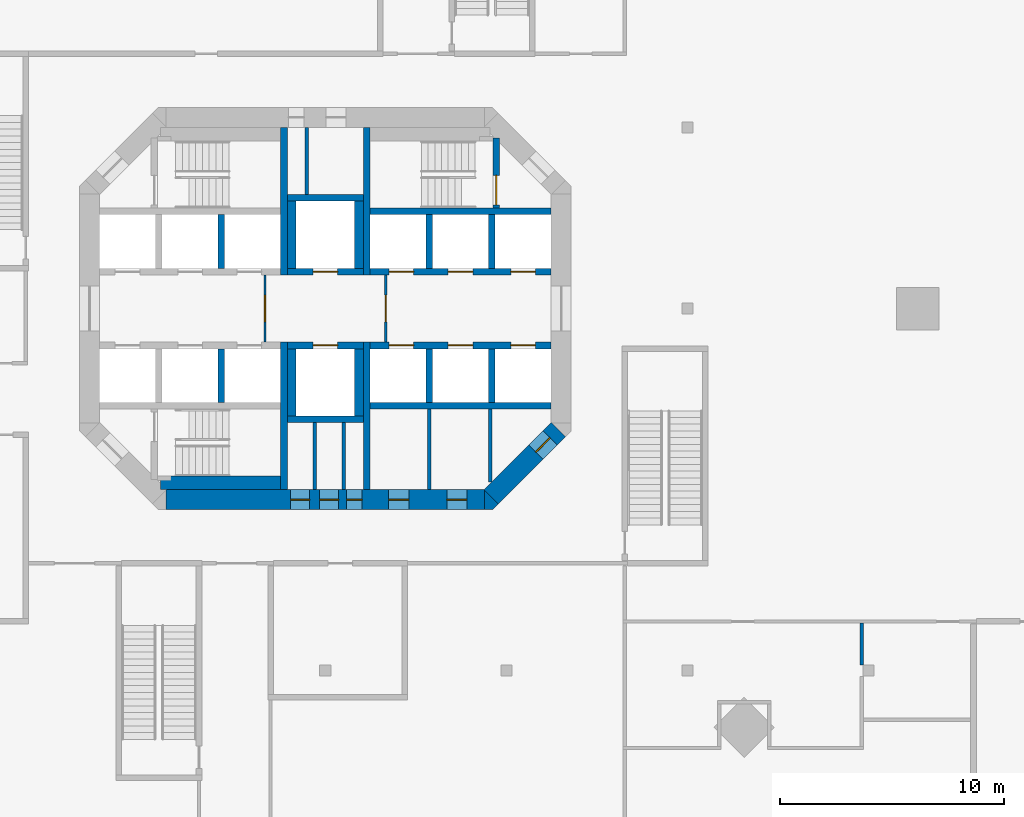
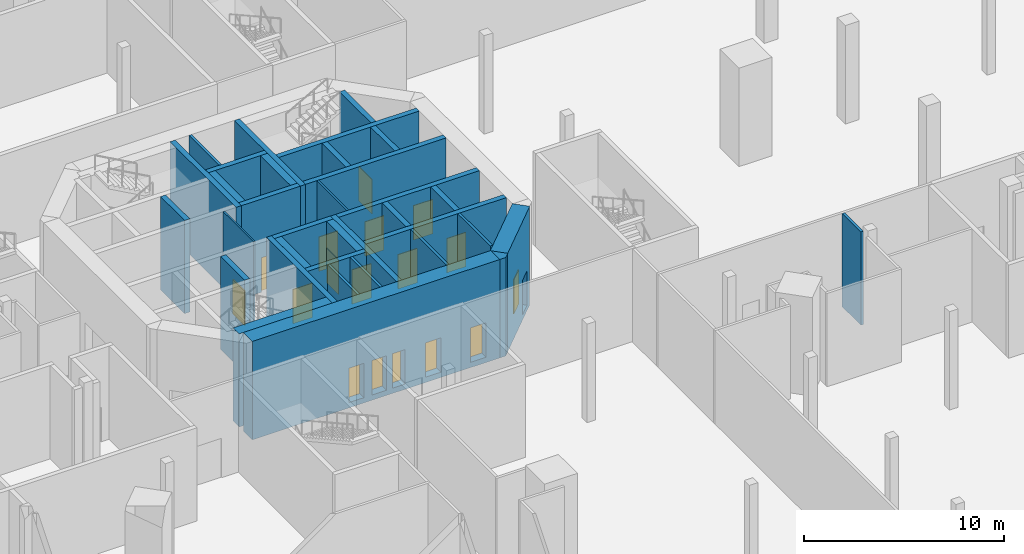
# One storey, part 16 of 32: 35 walls, 17 doors, 17 openings.
"""IFC4 building model written with IfcOpenShell, lengths in metres."""

from ifc_helpers import new_model, si_unit, direction, frame, frame_2d, origin, place, context, subcontext, project, spatial, polyline, rectangle, outline, extrude, material, layer, layer_set, type_object, element, fill, save


model = new_model("IFC4")

# Units and contexts
model_context = context("Model", 3, precision=1e-05, world=origin(), true_north=direction((0.0, 1.0)))
body_context = subcontext(model_context, "Body", "Model", "MODEL_VIEW")
ifc_project = project(units=[si_unit("LENGTHUNIT", "METRE"), si_unit("AREAUNIT", "SQUARE_METRE"), si_unit("VOLUMEUNIT", "CUBIC_METRE"), si_unit("PLANEANGLEUNIT", "RADIAN"), si_unit("MASSUNIT", "GRAM", prefix="KILO")], contexts=[model_context])

# Site, building, storey
site_placement = place(None, origin())
site = spatial("IfcSite", under=ifc_project, at=site_placement, CompositionType="ELEMENT")
building_placement = place(site_placement, origin())
building = spatial("IfcBuilding", under=site, at=building_placement, Name="Torre Triforio", CompositionType="ELEMENT")
storey_placement = place(building_placement, origin())
storey = spatial("IfcBuildingStorey", under=building, at=storey_placement, Name="L00", CompositionType="ELEMENT", Elevation=0.0)

# Walls
ifc_material_1 = material(Name="Concrete C60", Category="concrete")
ifc_layer_1 = layer(ifc_material_1, 0.300048828125)
ifc_layer_set_1 = layer_set([ifc_layer_1], Name="Concrete C60")
wall_type_1 = type_object("IfcWallType", Name="Core wall 300 mm C60 EI 120", PredefinedType="SHEAR", material=ifc_layer_set_1)
for number, where, z_axis, x_axis, name in (
    (1, (-1.85009765625, 1.5, 0.0), (0.0, 0.0, 1.0), (0.0, 1.0, 0.0), "Core wall"),
    (2, (-1.85009765625, -8.10009765625, 0.0), (0.0, 0.0, 1.0), (0.0, 1.0, 0.0), "Core wall"),
    (3, (1.85009765625, 1.5, 0.0), (0.0, 0.0, 1.0), (0.0, 1.0, 0.0), "Core wall"),
    (4, (1.85009765625, -8.10009765625, 0.0), (0.0, 0.0, 1.0), (0.0, 1.0, 0.0), "Core wall"),
):
    element("IfcWall", number, at=place(storey_placement, frame(where, z_axis=z_axis, x_axis=x_axis)), inside=storey, type_object=wall_type_1, Name=name, PredefinedType="SHEAR", context=body_context, shape_type="SweptSolid", body=[
        extrude(rectangle(XDim=6.60009765625, YDim=0.300048828125, at=frame_2d((3.300048828125, 0.0))), origin(), (0.0, 0.0, 1.0), 5.679931640625),
    ])

# Wall, openings, doors
ifc_layer_2 = layer(ifc_material_1, 0.89990234375)
ifc_layer_set_2 = layer_set([ifc_layer_2], Name="Concrete C60")
wall_type_2 = type_object("IfcWallType", Name="Core wall 900 mm C60 EI 120", PredefinedType="SHEAR", material=ifc_layer_set_2)
wall_1_placement = place(storey_placement, frame((-7.1298828125, -8.550048828125, -0.320068359375), z_axis=(0.0, 0.0, 1.0), x_axis=(1.0, 0.0, 0.0)))
wall_1 = element("IfcWall", 5, at=wall_1_placement, inside=storey, type_object=wall_type_2, Name="Core wall", PredefinedType="SHEAR", context=body_context, shape_type="SweptSolid", body=[
    extrude(rectangle(XDim=14.259765625, YDim=0.89990234375, at=frame_2d((7.1298828125, 0.0))), origin(), (0.0, 0.0, 1.0), 6.0),
])
opening_1_placement = place(wall_1_placement, frame((8.080078125, 0.0, 0.320068359375)))
opening_1 = element("IfcOpeningElement", 6, at=opening_1_placement, cuts=wall_1, Name="Opening RISER-S", PredefinedType="OPENING", context=body_context, shape_type="SweptSolid", body=[
    extrude(rectangle(XDim=0.699951171875, YDim=2.10009765625, at=frame_2d((0.35009765625, 1.050048828125))), frame((0.0, 0.4599609375, 0.0), z_axis=(0.0, -1.0, 0.0), x_axis=(1.0, 0.0, 0.0)), (0.0, 0.0, 1.0), 0.919921875),
])
opening_2_placement = place(wall_1_placement, frame((5.580078125, 0.0, 0.320068359375)))
opening_2 = element("IfcOpeningElement", 7, at=opening_2_placement, cuts=wall_1, Name="Opening SW-01A", PredefinedType="OPENING", context=body_context, shape_type="SweptSolid", body=[
    extrude(rectangle(XDim=0.85009765625, YDim=2.10009765625, at=frame_2d((0.425048828125, 1.050048828125))), frame((0.0, 0.4599609375, 0.0), z_axis=(0.0, -1.0, 0.0), x_axis=(1.0, 0.0, 0.0)), (0.0, 0.0, 1.0), 0.919921875),
])
opening_3_placement = place(wall_1_placement, frame((6.8798828125, 0.0, 0.320068359375)))
opening_3 = element("IfcOpeningElement", 8, at=opening_3_placement, cuts=wall_1, Name="Opening SW-02", PredefinedType="OPENING", context=body_context, shape_type="SweptSolid", body=[
    extrude(rectangle(XDim=0.85009765625, YDim=2.10009765625, at=frame_2d((0.425048828125, 1.050048828125))), frame((0.0, 0.4599609375, 0.0), z_axis=(0.0, -1.0, 0.0), x_axis=(1.0, 0.0, 0.0)), (0.0, 0.0, 1.0), 0.919921875),
])
opening_4_placement = place(wall_1_placement, frame((9.967041015625, 0.0, 0.320068359375)))
opening_4 = element("IfcOpeningElement", 9, at=opening_4_placement, cuts=wall_1, Name="Opening SE-01A", PredefinedType="OPENING", context=body_context, shape_type="SweptSolid", body=[
    extrude(rectangle(XDim=0.89990234375, YDim=2.10009765625, at=frame_2d((0.449951171875, 1.050048828125))), frame((0.0, 0.4599609375, 0.0), z_axis=(0.0, -1.0, 0.0), x_axis=(1.0, 0.0, 0.0)), (0.0, 0.0, 1.0), 0.919921875),
])
opening_5_placement = place(wall_1_placement, frame((12.56689453125, 0.0, 0.320068359375)))
opening_5 = element("IfcOpeningElement", 10, at=opening_5_placement, cuts=wall_1, Name="Opening SE-02", PredefinedType="OPENING", context=body_context, shape_type="SweptSolid", body=[
    extrude(rectangle(XDim=0.89990234375, YDim=2.10009765625, at=frame_2d((0.449951171875, 1.050048828125))), frame((0.0, 0.4599609375, 0.0), z_axis=(0.0, -1.0, 0.0), x_axis=(1.0, 0.0, 0.0)), (0.0, 0.0, 1.0), 0.919921875),
])
ifc_material_2 = material(Name="Hollow metal fire door leaf")
door_type_1 = type_object("IfcDoorType", Name="Riser door 700 x 2100 EI 60", OperationType="NOTDEFINED", PredefinedType="DOOR", material=ifc_material_2)
door_1_placement = place(opening_1_placement, origin())
door_1 = element("IfcDoor", 11, at=door_1_placement, inside=storey, type_object=door_type_1, Name="Core door RISER-S", OperationType="SINGLE_SWING_RIGHT", OverallHeight=2.10009765625, OverallWidth=0.699951171875, PredefinedType="DOOR", context=body_context, shape_type="SweptSolid", body=[
    extrude(rectangle(XDim=0.699951171875, YDim=2.10009765625, at=frame_2d((0.35009765625, 1.050048828125))), frame((0.0, 0.02490234375, 0.0), z_axis=(0.0, -1.0, 0.0), x_axis=(1.0, 0.0, 0.0)), (0.0, 0.0, 1.0), 0.050048828125),
])
fill(opening_1, door_1)
door_type_2 = type_object("IfcDoorType", Name="Room door 850 x 2100 EI 60", OperationType="NOTDEFINED", PredefinedType="DOOR", material=ifc_material_2)
door_2_placement = place(opening_2_placement, origin())
door_2 = element("IfcDoor", 12, at=door_2_placement, inside=storey, type_object=door_type_2, Name="Core door SW-01", OperationType="SINGLE_SWING_RIGHT", OverallHeight=2.10009765625, OverallWidth=0.85009765625, PredefinedType="DOOR", context=body_context, shape_type="SweptSolid", body=[
    extrude(rectangle(XDim=0.85009765625, YDim=2.10009765625, at=frame_2d((0.425048828125, 1.050048828125))), frame((0.0, 0.02490234375, 0.0), z_axis=(0.0, -1.0, 0.0), x_axis=(1.0, 0.0, 0.0)), (0.0, 0.0, 1.0), 0.050048828125),
])
fill(opening_2, door_2)
door_3_placement = place(opening_3_placement, origin())
door_3 = element("IfcDoor", 13, at=door_3_placement, inside=storey, type_object=door_type_2, Name="Core door SW-02", OperationType="SINGLE_SWING_RIGHT", OverallHeight=2.10009765625, OverallWidth=0.85009765625, PredefinedType="DOOR", context=body_context, shape_type="SweptSolid", body=[
    extrude(rectangle(XDim=0.85009765625, YDim=2.10009765625, at=frame_2d((0.425048828125, 1.050048828125))), frame((0.0, 0.02490234375, 0.0), z_axis=(0.0, -1.0, 0.0), x_axis=(1.0, 0.0, 0.0)), (0.0, 0.0, 1.0), 0.050048828125),
])
fill(opening_3, door_3)
door_type_3 = type_object("IfcDoorType", Name="Room door 900 x 2100 EI 60", OperationType="NOTDEFINED", PredefinedType="DOOR", material=ifc_material_2)
door_4_placement = place(opening_4_placement, origin())
door_4 = element("IfcDoor", 14, at=door_4_placement, inside=storey, type_object=door_type_3, Name="Core door SE-01", OperationType="SINGLE_SWING_RIGHT", OverallHeight=2.10009765625, OverallWidth=0.89990234375, PredefinedType="DOOR", context=body_context, shape_type="SweptSolid", body=[
    extrude(rectangle(XDim=0.89990234375, YDim=2.10009765625, at=frame_2d((0.449951171875, 1.050048828125))), frame((0.0, 0.02490234375, 0.0), z_axis=(0.0, -1.0, 0.0), x_axis=(1.0, 0.0, 0.0)), (0.0, 0.0, 1.0), 0.050048828125),
])
fill(opening_4, door_4)
door_5_placement = place(opening_5_placement, origin())
door_5 = element("IfcDoor", 15, at=door_5_placement, inside=storey, type_object=door_type_3, Name="Core door SE-02", OperationType="SINGLE_SWING_RIGHT", OverallHeight=2.10009765625, OverallWidth=0.89990234375, PredefinedType="DOOR", context=body_context, shape_type="SweptSolid", body=[
    extrude(rectangle(XDim=0.89990234375, YDim=2.10009765625, at=frame_2d((0.449951171875, 1.050048828125))), frame((0.0, 0.02490234375, 0.0), z_axis=(0.0, -1.0, 0.0), x_axis=(1.0, 0.0, 0.0)), (0.0, 0.0, 1.0), 0.050048828125),
])
fill(opening_5, door_5)

# Wall, opening, door
wall_2_placement = place(storey_placement, frame((10.418212890625, -5.418212890625, -0.320068359375), z_axis=(0.0, 0.0, 1.0), x_axis=(-0.707106781187, -0.707106781187, 0.0)))
wall_2 = element("IfcWall", 16, at=wall_2_placement, inside=storey, type_object=wall_type_2, Name="Core wall", PredefinedType="SHEAR", context=body_context, shape_type="SweptSolid", body=[
    extrude(rectangle(XDim=4.24267578125, YDim=0.89990234375, at=frame_2d((2.121337890625, 0.0))), origin(), (0.0, 0.0, 1.0), 6.0),
])
opening_6_placement = place(wall_2_placement, frame((0.52001953125, 0.0, 0.320068359375)))
opening_6 = element("IfcOpeningElement", 17, at=opening_6_placement, cuts=wall_2, Name="Opening SE-03", PredefinedType="OPENING", context=body_context, shape_type="SweptSolid", body=[
    extrude(rectangle(XDim=0.89990234375, YDim=2.10009765625, at=frame_2d((0.449951171875, 1.050048828125))), frame((0.0, 0.4599609375, 0.0), z_axis=(0.0, -1.0, 0.0), x_axis=(1.0, 0.0, 0.0)), (0.0, 0.0, 1.0), 0.919921875),
])
door_6_placement = place(opening_6_placement, origin())
door_6 = element("IfcDoor", 18, at=door_6_placement, inside=storey, type_object=door_type_3, Name="Core door SE-03", OperationType="SINGLE_SWING_LEFT", OverallHeight=2.10009765625, OverallWidth=0.89990234375, PredefinedType="DOOR", context=body_context, shape_type="SweptSolid", body=[
    extrude(rectangle(XDim=0.89990234375, YDim=2.10009765625, at=frame_2d((0.449951171875, 1.050048828125))), frame((0.0, 0.02490234375, 0.0), z_axis=(0.0, -1.0, 0.0), x_axis=(1.0, 0.0, 0.0)), (0.0, 0.0, 1.0), 0.050048828125),
])
fill(opening_6, door_6)

# Wall
wall_3_placement = place(storey_placement, frame((0.0, 0.0, -0.320068359375)))
element("IfcWall", 19, at=wall_3_placement, inside=storey, type_object=wall_type_2, Name="Core wall", PredefinedType="SHEAR", context=body_context, shape_type="SweptSolid", body=[
    extrude(outline(polyline([(7.472900390625, -9.0), (7.1298828125, -9.0), (7.1298828125, -8.1298828125), (7.736328125, -8.736328125), (7.472900390625, -9.0)])), origin(), (0.0, 0.0, 1.0), 6.0),
])

# Wall, opening, door
ifc_material_3 = material(Name="Block and board partition")
ifc_layer_3 = layer(ifc_material_3, 0.10009765625)
ifc_layer_set_3 = layer_set([ifc_layer_3], Name="Block and board partition")
wall_type_3 = type_object("IfcWallType", Name="Partition 100 mm EI 120", PredefinedType="PARTITIONING", material=ifc_layer_set_3)
wall_4_placement = place(storey_placement, frame((-2.699951171875, -1.5, 0.0), z_axis=(0.0, 0.0, 1.0), x_axis=(0.0, 1.0, 0.0)))
wall_4 = element("IfcWall", 20, at=wall_4_placement, inside=storey, type_object=wall_type_3, Name="Partition", PredefinedType="PARTITIONING", context=body_context, shape_type="SweptSolid", body=[
    extrude(rectangle(XDim=3.0, YDim=0.10009765625, at=frame_2d((1.5, 0.0))), origin(), (0.0, 0.0, 1.0), 5.679931640625),
])
opening_7_placement = place(wall_4_placement, frame((0.89990234375, 0.0, 0.0)))
opening_7 = element("IfcOpeningElement", 21, at=opening_7_placement, cuts=wall_4, Name="Opening FF-W", PredefinedType="OPENING", context=body_context, shape_type="SweptSolid", body=[
    extrude(rectangle(XDim=1.199951171875, YDim=2.10009765625, at=frame_2d((0.60009765625, 1.050048828125))), frame((0.0, 0.06005859375, 0.0), z_axis=(0.0, -1.0, 0.0), x_axis=(1.0, 0.0, 0.0)), (0.0, 0.0, 1.0), 0.1201171875),
])
door_type_4 = type_object("IfcDoorType", Name="Fire-fighting lobby door 1200 x 2100 EI 60", OperationType="NOTDEFINED", PredefinedType="DOOR", material=ifc_material_2)
door_7_placement = place(opening_7_placement, origin())
door_7 = element("IfcDoor", 22, at=door_7_placement, inside=storey, type_object=door_type_4, Name="Core door FF-W", OperationType="SINGLE_SWING_LEFT", OverallHeight=2.10009765625, OverallWidth=1.199951171875, PredefinedType="DOOR", context=body_context, shape_type="SweptSolid", body=[
    extrude(rectangle(XDim=1.199951171875, YDim=2.10009765625, at=frame_2d((0.60009765625, 1.050048828125))), frame((0.0, 0.02490234375, 0.0), z_axis=(0.0, -1.0, 0.0), x_axis=(1.0, 0.0, 0.0)), (0.0, 0.0, 1.0), 0.050048828125),
])
fill(opening_7, door_7)

wall_5_placement = place(storey_placement, frame((2.699951171875, -1.5, 0.0), z_axis=(0.0, 0.0, 1.0), x_axis=(0.0, 1.0, 0.0)))
wall_5 = element("IfcWall", 23, at=wall_5_placement, inside=storey, type_object=wall_type_3, Name="Partition", PredefinedType="PARTITIONING", context=body_context, shape_type="SweptSolid", body=[
    extrude(rectangle(XDim=3.0, YDim=0.10009765625, at=frame_2d((1.5, 0.0))), origin(), (0.0, 0.0, 1.0), 5.679931640625),
])
opening_8_placement = place(wall_5_placement, frame((0.89990234375, 0.0, 0.0)))
opening_8 = element("IfcOpeningElement", 24, at=opening_8_placement, cuts=wall_5, Name="Opening FF-E", PredefinedType="OPENING", context=body_context, shape_type="SweptSolid", body=[
    extrude(rectangle(XDim=1.199951171875, YDim=2.10009765625, at=frame_2d((0.60009765625, 1.050048828125))), frame((0.0, 0.06005859375, 0.0), z_axis=(0.0, -1.0, 0.0), x_axis=(1.0, 0.0, 0.0)), (0.0, 0.0, 1.0), 0.1201171875),
])
door_8_placement = place(opening_8_placement, origin())
door_8 = element("IfcDoor", 25, at=door_8_placement, inside=storey, type_object=door_type_4, Name="Core door FF-E", OperationType="SINGLE_SWING_LEFT", OverallHeight=2.10009765625, OverallWidth=1.199951171875, PredefinedType="DOOR", context=body_context, shape_type="SweptSolid", body=[
    extrude(rectangle(XDim=1.199951171875, YDim=2.10009765625, at=frame_2d((0.60009765625, 1.050048828125))), frame((0.0, 0.02490234375, 0.0), z_axis=(0.0, -1.0, 0.0), x_axis=(1.0, 0.0, 0.0)), (0.0, 0.0, 1.0), 0.050048828125),
])
fill(opening_8, door_8)

# Walls
ifc_layer_4 = layer(ifc_material_3, 0.14990234375)
ifc_layer_set_4 = layer_set([ifc_layer_4], Name="Block and board partition")
wall_type_4 = type_object("IfcWallType", Name="Partition 150 mm", PredefinedType="PARTITIONING", material=ifc_layer_set_4)
wall_6_placement = place(storey_placement, frame((-0.47509765625, -8.10009765625, 0.0), z_axis=(0.0, 0.0, 1.0), x_axis=(0.0, 1.0, 0.0)))
element("IfcWall", 26, at=wall_6_placement, inside=storey, type_object=wall_type_4, Name="Partition", PredefinedType="PARTITIONING", context=body_context, shape_type="SweptSolid", body=[
    extrude(rectangle(XDim=3.0, YDim=0.14990234375, at=frame_2d((1.5, 0.0))), origin(), (0.0, 0.0, 1.0), 5.679931640625),
])
wall_7_placement = place(storey_placement, frame((4.64892578125, -8.10009765625, 0.0), z_axis=(0.0, 0.0, 1.0), x_axis=(0.0, 1.0, 0.0)))
element("IfcWall", 27, at=wall_7_placement, inside=storey, type_object=wall_type_4, Name="Partition", PredefinedType="PARTITIONING", context=body_context, shape_type="SweptSolid", body=[
    extrude(rectangle(XDim=3.60009765625, YDim=0.14990234375, at=frame_2d((1.800048828125, 0.0))), origin(), (0.0, 0.0, 1.0), 5.679931640625),
])
wall_8_placement = place(storey_placement, frame((7.373046875, -7.751953125, 0.0), z_axis=(0.0, 0.0, 1.0), x_axis=(0.0, 1.0, 0.0)))
element("IfcWall", 28, at=wall_8_placement, inside=storey, type_object=wall_type_4, Name="Partition", PredefinedType="PARTITIONING", context=body_context, shape_type="SweptSolid", body=[
    extrude(rectangle(XDim=3.251953125, YDim=0.14990234375, at=frame_2d((1.6259765625, 0.0))), origin(), (0.0, 0.0, 1.0), 5.679931640625),
])
ifc_layer_5 = layer(ifc_material_3, 0.14990234375)
ifc_layer_set_5 = layer_set([ifc_layer_5], Name="Block and board partition")
wall_type_5 = type_object("IfcWallType", Name="Partition 150 mm EI 120", PredefinedType="PARTITIONING", material=ifc_layer_set_5)
for number, where, z_axis, x_axis, name in (
    (29, (-0.824951171875, 5.10009765625, 0.0), (0.0, 0.0, 1.0), (0.0, 1.0, 0.0), "Partition"),
    (30, (0.824951171875, -8.10009765625, 0.0), (0.0, 0.0, 1.0), (0.0, 1.0, 0.0), "Partition"),
):
    element("IfcWall", number, at=place(storey_placement, frame(where, z_axis=z_axis, x_axis=x_axis)), inside=storey, type_object=wall_type_5, Name=name, PredefinedType="PARTITIONING", context=body_context, shape_type="SweptSolid", body=[
        extrude(rectangle(XDim=3.0, YDim=0.14990234375, at=frame_2d((1.5, 0.0))), origin(), (0.0, 0.0, 1.0), 5.679931640625),
    ])
ifc_layer_6 = layer(ifc_material_1, 0.300048828125)
ifc_layer_set_6 = layer_set([ifc_layer_6], Name="Concrete C60")
wall_type_6 = type_object("IfcWallType", Name="Shaft wall 300 mm C60 EI 120", PredefinedType="SOLIDWALL", material=ifc_layer_set_6)
for number, where, z_axis, x_axis, name in (
    (31, (2.0, 4.35009765625, 0.0), (0.0, 0.0, 1.0), (1.0, 0.0, 0.0), "Shaft wall"),
    (32, (2.0, -4.35009765625, 0.0), (0.0, 0.0, 1.0), (1.0, 0.0, 0.0), "Shaft wall"),
):
    element("IfcWall", number, at=place(storey_placement, frame(where, z_axis=z_axis, x_axis=x_axis)), inside=storey, type_object=wall_type_6, Name=name, PredefinedType="SOLIDWALL", context=body_context, shape_type="SweptSolid", body=[
        extrude(rectangle(XDim=8.10009765625, YDim=0.300048828125, at=frame_2d((4.050048828125, 0.0))), origin(), (0.0, 0.0, 1.0), 5.679931640625),
    ])

# Wall, openings, doors
wall_9_placement = place(storey_placement, frame((2.0, 1.64990234375, 0.0), z_axis=(0.0, 0.0, 1.0), x_axis=(1.0, 0.0, 0.0)))
wall_9 = element("IfcWall", 33, at=wall_9_placement, inside=storey, type_object=wall_type_6, Name="Shaft wall", PredefinedType="SOLIDWALL", context=body_context, shape_type="SweptSolid", body=[
    extrude(rectangle(XDim=8.10009765625, YDim=0.300048828125, at=frame_2d((4.050048828125, 0.0))), origin(), (0.0, 0.0, 1.0), 5.679931640625),
])
opening_9_placement = place(wall_9_placement, frame((0.85009765625, 0.0, 0.0)))
opening_9 = element("IfcOpeningElement", 34, at=opening_9_placement, cuts=wall_9, Name="Opening LD", PredefinedType="OPENING", context=body_context, shape_type="SweptSolid", body=[
    extrude(rectangle(XDim=1.10009765625, YDim=2.10009765625, at=frame_2d((0.550048828125, 1.050048828125))), frame((0.0, 0.159912109375, 0.0), z_axis=(0.0, -1.0, 0.0), x_axis=(1.0, 0.0, 0.0)), (0.0, 0.0, 1.0), 0.320068359375),
])
opening_10_placement = place(wall_9_placement, frame((3.5, 0.0, 0.0)))
opening_10 = element("IfcOpeningElement", 35, at=opening_10_placement, cuts=wall_9, Name="Opening LD", PredefinedType="OPENING", context=body_context, shape_type="SweptSolid", body=[
    extrude(rectangle(XDim=1.10009765625, YDim=2.10009765625, at=frame_2d((0.550048828125, 1.050048828125))), frame((0.0, 0.159912109375, 0.0), z_axis=(0.0, -1.0, 0.0), x_axis=(1.0, 0.0, 0.0)), (0.0, 0.0, 1.0), 0.320068359375),
])
opening_11_placement = place(wall_9_placement, frame((6.300048828125, 0.0, 0.0)))
opening_11 = element("IfcOpeningElement", 36, at=opening_11_placement, cuts=wall_9, Name="Opening LD", PredefinedType="OPENING", context=body_context, shape_type="SweptSolid", body=[
    extrude(rectangle(XDim=1.10009765625, YDim=2.10009765625, at=frame_2d((0.550048828125, 1.050048828125))), frame((0.0, 0.159912109375, 0.0), z_axis=(0.0, -1.0, 0.0), x_axis=(1.0, 0.0, 0.0)), (0.0, 0.0, 1.0), 0.320068359375),
])
door_type_5 = type_object("IfcDoorType", Name="Landing door 1100 x 2100 EI 60", OperationType="DOUBLE_DOOR_SLIDING", PredefinedType="DOOR", material=ifc_material_2)
door_9_placement = place(opening_9_placement, origin())
door_9 = element("IfcDoor", 37, at=door_9_placement, inside=storey, type_object=door_type_5, Name="Landing door HR1", OperationType="DOUBLE_DOOR_SLIDING", OverallHeight=2.10009765625, OverallWidth=1.10009765625, PredefinedType="DOOR", context=body_context, shape_type="SweptSolid", body=[
    extrude(rectangle(XDim=1.10009765625, YDim=2.10009765625, at=frame_2d((0.550048828125, 1.050048828125))), frame((0.0, 0.02490234375, 0.0), z_axis=(0.0, -1.0, 0.0), x_axis=(1.0, 0.0, 0.0)), (0.0, 0.0, 1.0), 0.050048828125),
])
fill(opening_9, door_9)
door_10_placement = place(opening_10_placement, origin())
door_10 = element("IfcDoor", 38, at=door_10_placement, inside=storey, type_object=door_type_5, Name="Landing door HR2", OperationType="DOUBLE_DOOR_SLIDING", OverallHeight=2.10009765625, OverallWidth=1.10009765625, PredefinedType="DOOR", context=body_context, shape_type="SweptSolid", body=[
    extrude(rectangle(XDim=1.10009765625, YDim=2.10009765625, at=frame_2d((0.550048828125, 1.050048828125))), frame((0.0, 0.02490234375, 0.0), z_axis=(0.0, -1.0, 0.0), x_axis=(1.0, 0.0, 0.0)), (0.0, 0.0, 1.0), 0.050048828125),
])
fill(opening_10, door_10)
door_11_placement = place(opening_11_placement, origin())
door_11 = element("IfcDoor", 39, at=door_11_placement, inside=storey, type_object=door_type_5, Name="Landing door HR3", OperationType="DOUBLE_DOOR_SLIDING", OverallHeight=2.10009765625, OverallWidth=1.10009765625, PredefinedType="DOOR", context=body_context, shape_type="SweptSolid", body=[
    extrude(rectangle(XDim=1.10009765625, YDim=2.10009765625, at=frame_2d((0.550048828125, 1.050048828125))), frame((0.0, 0.02490234375, 0.0), z_axis=(0.0, -1.0, 0.0), x_axis=(1.0, 0.0, 0.0)), (0.0, 0.0, 1.0), 0.050048828125),
])
fill(opening_11, door_11)

wall_10_placement = place(storey_placement, frame((2.0, -1.64990234375, 0.0), z_axis=(0.0, 0.0, 1.0), x_axis=(1.0, 0.0, 0.0)))
wall_10 = element("IfcWall", 40, at=wall_10_placement, inside=storey, type_object=wall_type_6, Name="Shaft wall", PredefinedType="SOLIDWALL", context=body_context, shape_type="SweptSolid", body=[
    extrude(rectangle(XDim=8.10009765625, YDim=0.300048828125, at=frame_2d((4.050048828125, 0.0))), origin(), (0.0, 0.0, 1.0), 5.679931640625),
])
opening_12_placement = place(wall_10_placement, frame((0.85009765625, 0.0, 0.0)))
opening_12 = element("IfcOpeningElement", 41, at=opening_12_placement, cuts=wall_10, Name="Opening LD", PredefinedType="OPENING", context=body_context, shape_type="SweptSolid", body=[
    extrude(rectangle(XDim=1.10009765625, YDim=2.10009765625, at=frame_2d((0.550048828125, 1.050048828125))), frame((0.0, 0.159912109375, 0.0), z_axis=(0.0, -1.0, 0.0), x_axis=(1.0, 0.0, 0.0)), (0.0, 0.0, 1.0), 0.320068359375),
])
opening_13_placement = place(wall_10_placement, frame((3.5, 0.0, 0.0)))
opening_13 = element("IfcOpeningElement", 42, at=opening_13_placement, cuts=wall_10, Name="Opening LD", PredefinedType="OPENING", context=body_context, shape_type="SweptSolid", body=[
    extrude(rectangle(XDim=1.10009765625, YDim=2.10009765625, at=frame_2d((0.550048828125, 1.050048828125))), frame((0.0, 0.159912109375, 0.0), z_axis=(0.0, -1.0, 0.0), x_axis=(1.0, 0.0, 0.0)), (0.0, 0.0, 1.0), 0.320068359375),
])
opening_14_placement = place(wall_10_placement, frame((6.300048828125, 0.0, 0.0)))
opening_14 = element("IfcOpeningElement", 43, at=opening_14_placement, cuts=wall_10, Name="Opening LD", PredefinedType="OPENING", context=body_context, shape_type="SweptSolid", body=[
    extrude(rectangle(XDim=1.10009765625, YDim=2.10009765625, at=frame_2d((0.550048828125, 1.050048828125))), frame((0.0, 0.159912109375, 0.0), z_axis=(0.0, -1.0, 0.0), x_axis=(1.0, 0.0, 0.0)), (0.0, 0.0, 1.0), 0.320068359375),
])
door_12_placement = place(opening_12_placement, origin())
door_12 = element("IfcDoor", 44, at=door_12_placement, inside=storey, type_object=door_type_5, Name="Landing door HR4", OperationType="DOUBLE_DOOR_SLIDING", OverallHeight=2.10009765625, OverallWidth=1.10009765625, PredefinedType="DOOR", context=body_context, shape_type="SweptSolid", body=[
    extrude(rectangle(XDim=1.10009765625, YDim=2.10009765625, at=frame_2d((0.550048828125, 1.050048828125))), frame((0.0, 0.02490234375, 0.0), z_axis=(0.0, -1.0, 0.0), x_axis=(1.0, 0.0, 0.0)), (0.0, 0.0, 1.0), 0.050048828125),
])
fill(opening_12, door_12)
door_13_placement = place(opening_13_placement, origin())
door_13 = element("IfcDoor", 45, at=door_13_placement, inside=storey, type_object=door_type_5, Name="Landing door HR5", OperationType="DOUBLE_DOOR_SLIDING", OverallHeight=2.10009765625, OverallWidth=1.10009765625, PredefinedType="DOOR", context=body_context, shape_type="SweptSolid", body=[
    extrude(rectangle(XDim=1.10009765625, YDim=2.10009765625, at=frame_2d((0.550048828125, 1.050048828125))), frame((0.0, 0.02490234375, 0.0), z_axis=(0.0, -1.0, 0.0), x_axis=(1.0, 0.0, 0.0)), (0.0, 0.0, 1.0), 0.050048828125),
])
fill(opening_13, door_13)
door_14_placement = place(opening_14_placement, origin())
door_14 = element("IfcDoor", 46, at=door_14_placement, inside=storey, type_object=door_type_5, Name="Landing door HR6", OperationType="DOUBLE_DOOR_SLIDING", OverallHeight=2.10009765625, OverallWidth=1.10009765625, PredefinedType="DOOR", context=body_context, shape_type="SweptSolid", body=[
    extrude(rectangle(XDim=1.10009765625, YDim=2.10009765625, at=frame_2d((0.550048828125, 1.050048828125))), frame((0.0, 0.02490234375, 0.0), z_axis=(0.0, -1.0, 0.0), x_axis=(1.0, 0.0, 0.0)), (0.0, 0.0, 1.0), 0.050048828125),
])
fill(opening_14, door_14)

# Walls
for number, where, z_axis, x_axis, name in (
    (47, (-4.64990234375, 1.800048828125, 0.0), (0.0, 0.0, 1.0), (0.0, 1.0, 0.0), "Shaft wall"),
    (48, (-4.64990234375, -4.199951171875, 0.0), (0.0, 0.0, 1.0), (0.0, 1.0, 0.0), "Shaft wall"),
    (49, (4.64990234375, 1.800048828125, 0.0), (0.0, 0.0, 1.0), (0.0, 1.0, 0.0), "Shaft wall"),
    (50, (4.64990234375, -4.199951171875, 0.0), (0.0, 0.0, 1.0), (0.0, 1.0, 0.0), "Shaft wall"),
    (51, (7.449951171875, 1.800048828125, 0.0), (0.0, 0.0, 1.0), (0.0, 1.0, 0.0), "Shaft wall"),
    (52, (7.449951171875, -4.199951171875, 0.0), (0.0, 0.0, 1.0), (0.0, 1.0, 0.0), "Shaft wall"),
):
    element("IfcWall", number, at=place(storey_placement, frame(where, z_axis=z_axis, x_axis=x_axis)), inside=storey, type_object=wall_type_6, Name=name, PredefinedType="SOLIDWALL", context=body_context, shape_type="SweptSolid", body=[
        extrude(rectangle(XDim=2.39990234375, YDim=0.300048828125, at=frame_2d((1.199951171875, 0.0))), origin(), (0.0, 0.0, 1.0), 5.679931640625),
    ])

# Wall, opening, door
wall_11_placement = place(storey_placement, frame((-1.699951171875, 1.64990234375, 0.0), z_axis=(0.0, 0.0, 1.0), x_axis=(1.0, 0.0, 0.0)))
wall_11 = element("IfcWall", 53, at=wall_11_placement, inside=storey, type_object=wall_type_6, Name="Shaft wall", PredefinedType="SOLIDWALL", context=body_context, shape_type="SweptSolid", body=[
    extrude(rectangle(XDim=3.39990234375, YDim=0.300048828125, at=frame_2d((1.699951171875, 0.0))), origin(), (0.0, 0.0, 1.0), 5.679931640625),
])
opening_15_placement = place(wall_11_placement, frame((1.14990234375, 0.0, 0.0)))
opening_15 = element("IfcOpeningElement", 54, at=opening_15_placement, cuts=wall_11, Name="Opening LD", PredefinedType="OPENING", context=body_context, shape_type="SweptSolid", body=[
    extrude(rectangle(XDim=1.10009765625, YDim=2.10009765625, at=frame_2d((0.550048828125, 1.050048828125))), frame((0.0, 0.159912109375, 0.0), z_axis=(0.0, -1.0, 0.0), x_axis=(1.0, 0.0, 0.0)), (0.0, 0.0, 1.0), 0.320068359375),
])
door_15_placement = place(opening_15_placement, origin())
door_15 = element("IfcDoor", 55, at=door_15_placement, inside=storey, type_object=door_type_5, Name="Landing door FFL1", OperationType="DOUBLE_DOOR_SLIDING", OverallHeight=2.10009765625, OverallWidth=1.10009765625, PredefinedType="DOOR", context=body_context, shape_type="SweptSolid", body=[
    extrude(rectangle(XDim=1.10009765625, YDim=2.10009765625, at=frame_2d((0.550048828125, 1.050048828125))), frame((0.0, 0.02490234375, 0.0), z_axis=(0.0, -1.0, 0.0), x_axis=(1.0, 0.0, 0.0)), (0.0, 0.0, 1.0), 0.050048828125),
])
fill(opening_15, door_15)

wall_12_placement = place(storey_placement, frame((-1.699951171875, -1.64990234375, 0.0), z_axis=(0.0, 0.0, 1.0), x_axis=(1.0, 0.0, 0.0)))
wall_12 = element("IfcWall", 56, at=wall_12_placement, inside=storey, type_object=wall_type_6, Name="Shaft wall", PredefinedType="SOLIDWALL", context=body_context, shape_type="SweptSolid", body=[
    extrude(rectangle(XDim=3.39990234375, YDim=0.300048828125, at=frame_2d((1.699951171875, 0.0))), origin(), (0.0, 0.0, 1.0), 5.679931640625),
])
opening_16_placement = place(wall_12_placement, frame((1.14990234375, 0.0, 0.0)))
opening_16 = element("IfcOpeningElement", 57, at=opening_16_placement, cuts=wall_12, Name="Opening LD", PredefinedType="OPENING", context=body_context, shape_type="SweptSolid", body=[
    extrude(rectangle(XDim=1.10009765625, YDim=2.10009765625, at=frame_2d((0.550048828125, 1.050048828125))), frame((0.0, 0.159912109375, 0.0), z_axis=(0.0, -1.0, 0.0), x_axis=(1.0, 0.0, 0.0)), (0.0, 0.0, 1.0), 0.320068359375),
])
door_16_placement = place(opening_16_placement, origin())
door_16 = element("IfcDoor", 58, at=door_16_placement, inside=storey, type_object=door_type_5, Name="Landing door FFL2", OperationType="DOUBLE_DOOR_SLIDING", OverallHeight=2.10009765625, OverallWidth=1.10009765625, PredefinedType="DOOR", context=body_context, shape_type="SweptSolid", body=[
    extrude(rectangle(XDim=1.10009765625, YDim=2.10009765625, at=frame_2d((0.550048828125, 1.050048828125))), frame((0.0, 0.02490234375, 0.0), z_axis=(0.0, -1.0, 0.0), x_axis=(1.0, 0.0, 0.0)), (0.0, 0.0, 1.0), 0.050048828125),
])
fill(opening_16, door_16)

# Walls
for number, where, z_axis, x_axis, name in (
    (59, (-1.699951171875, 4.949951171875, 0.0), (0.0, 0.0, 1.0), (1.0, 0.0, 0.0), "Shaft wall"),
    (60, (-1.699951171875, -4.949951171875, 0.0), (0.0, 0.0, 1.0), (1.0, 0.0, 0.0), "Shaft wall"),
):
    element("IfcWall", number, at=place(storey_placement, frame(where, z_axis=z_axis, x_axis=x_axis)), inside=storey, type_object=wall_type_6, Name=name, PredefinedType="SOLIDWALL", context=body_context, shape_type="SweptSolid", body=[
        extrude(rectangle(XDim=3.39990234375, YDim=0.300048828125, at=frame_2d((1.699951171875, 0.0))), origin(), (0.0, 0.0, 1.0), 5.679931640625),
    ])
ifc_layer_7 = layer(ifc_material_1, 0.39990234375)
ifc_layer_set_7 = layer_set([ifc_layer_7], Name="Concrete C60")
wall_type_7 = type_object("IfcWallType", Name="Shaft wall 400 mm C60 EI 120", PredefinedType="SOLIDWALL", material=ifc_layer_set_7)
for number, where, z_axis, x_axis, name in (
    (61, (-1.5, 1.800048828125, 0.0), (0.0, 0.0, 1.0), (0.0, 1.0, 0.0), "Shaft wall"),
    (62, (-1.5, -4.800048828125, 0.0), (0.0, 0.0, 1.0), (0.0, 1.0, 0.0), "Shaft wall"),
    (63, (1.5, 1.800048828125, 0.0), (0.0, 0.0, 1.0), (0.0, 1.0, 0.0), "Shaft wall"),
    (64, (1.5, -4.800048828125, 0.0), (0.0, 0.0, 1.0), (0.0, 1.0, 0.0), "Shaft wall"),
):
    element("IfcWall", number, at=place(storey_placement, frame(where, z_axis=z_axis, x_axis=x_axis)), inside=storey, type_object=wall_type_7, Name=name, PredefinedType="SOLIDWALL", context=body_context, shape_type="SweptSolid", body=[
        extrude(rectangle(XDim=3.0, YDim=0.39990234375, at=frame_2d((1.5, 0.0))), origin(), (0.0, 0.0, 1.0), 5.679931640625),
    ])

# Wall, opening, door
ifc_layer_8 = layer(ifc_material_1, 0.300048828125)
ifc_layer_set_8 = layer_set([ifc_layer_8], Name="Concrete C60")
wall_type_8 = type_object("IfcWallType", Name="Stair wall 300 mm C60 EI 120", PredefinedType="SHEAR", material=ifc_layer_set_8)
wall_13_placement = place(storey_placement, frame((7.64990234375, 4.5, 0.0), z_axis=(0.0, 0.0, 1.0), x_axis=(0.0, 1.0, 0.0)))
wall_13 = element("IfcWall", 65, at=wall_13_placement, inside=storey, type_object=wall_type_8, Name="Stair wall", PredefinedType="SHEAR", context=body_context, shape_type="SweptSolid", body=[
    extrude(rectangle(XDim=3.139892578125, YDim=0.300048828125, at=frame_2d((1.56982421875, 0.0))), origin(), (0.0, 0.0, 1.0), 5.679931640625),
])
opening_17_placement = place(wall_13_placement, frame((0.139892578125, 0.0, 0.0)))
opening_17 = element("IfcOpeningElement", 66, at=opening_17_placement, cuts=wall_13, Name="Opening ST2-STA", PredefinedType="OPENING", context=body_context, shape_type="SweptSolid", body=[
    extrude(rectangle(XDim=1.320068359375, YDim=2.10009765625, at=frame_2d((0.66015625, 1.050048828125))), frame((0.0, 0.159912109375, 0.0), z_axis=(0.0, -1.0, 0.0), x_axis=(1.0, 0.0, 0.0)), (0.0, 0.0, 1.0), 0.320068359375),
])
door_type_6 = type_object("IfcDoorType", Name="Stair door 1320 x 2100 EI 90", OperationType="DOUBLE_DOOR_SINGLE_SWING", PredefinedType="DOOR", material=ifc_material_2)
door_17_placement = place(opening_17_placement, origin())
door_17 = element("IfcDoor", 67, at=door_17_placement, inside=storey, type_object=door_type_6, Name="Core door ST2-ST", OperationType="DOUBLE_DOOR_SINGLE_SWING", OverallHeight=2.10009765625, OverallWidth=1.320068359375, PredefinedType="DOOR", context=body_context, shape_type="SweptSolid", body=[
    extrude(rectangle(XDim=1.320068359375, YDim=2.10009765625, at=frame_2d((0.66015625, 1.050048828125))), frame((0.0, 0.02490234375, 0.0), z_axis=(0.0, -1.0, 0.0), x_axis=(1.0, 0.0, 0.0)), (0.0, 0.0, 1.0), 0.050048828125),
])
fill(opening_17, door_17)

# Walls
ifc_layer_9 = layer(ifc_material_1, 0.60009765625)
ifc_layer_set_9 = layer_set([ifc_layer_9], Name="Concrete C60")
wall_type_9 = type_object("IfcWallType", Name="Stair wall 600 mm C60 EI 120", PredefinedType="SHEAR", material=ifc_layer_set_9)
wall_14_placement = place(storey_placement, frame((-7.3701171875, -7.800048828125, 0.0), z_axis=(0.0, 0.0, 1.0), x_axis=(1.0, 0.0, 0.0)))
element("IfcWall", 68, at=wall_14_placement, inside=storey, type_object=wall_type_9, Name="Stair wall", PredefinedType="SHEAR", context=body_context, shape_type="SweptSolid", body=[
    extrude(rectangle(XDim=5.3701171875, YDim=0.60009765625, at=frame_2d((2.68505859375, 0.0))), origin(), (0.0, 0.0, 1.0), 5.679931640625),
])
ifc_material_4 = material(Name="Plasterboard on metal studs")
ifc_layer_10 = layer(ifc_material_4, 0.14990234375)
ifc_layer_set_10 = layer_set([ifc_layer_10], Name="Plasterboard on metal studs")
wall_type_10 = type_object("IfcWallType", Name="Wet room wall 150", PredefinedType="PARTITIONING", material=ifc_layer_set_10)
wall_15_placement = place(storey_placement, frame((24.0, -15.93994140625, 0.0), z_axis=(0.0, 0.0, 1.0), x_axis=(0.0, 1.0, 0.0)))
element("IfcWall", 69, at=wall_15_placement, inside=storey, type_object=wall_type_10, Name="Wet room wall L00 157", PredefinedType="PARTITIONING", context=body_context, shape_type="SweptSolid", body=[
    extrude(rectangle(XDim=1.864990234375, YDim=0.14990234375, at=frame_2d((0.9326171875, 0.0))), origin(), (0.0, 0.0, 1.0), 5.679931640625),
])

save(model, "model.ifc")
